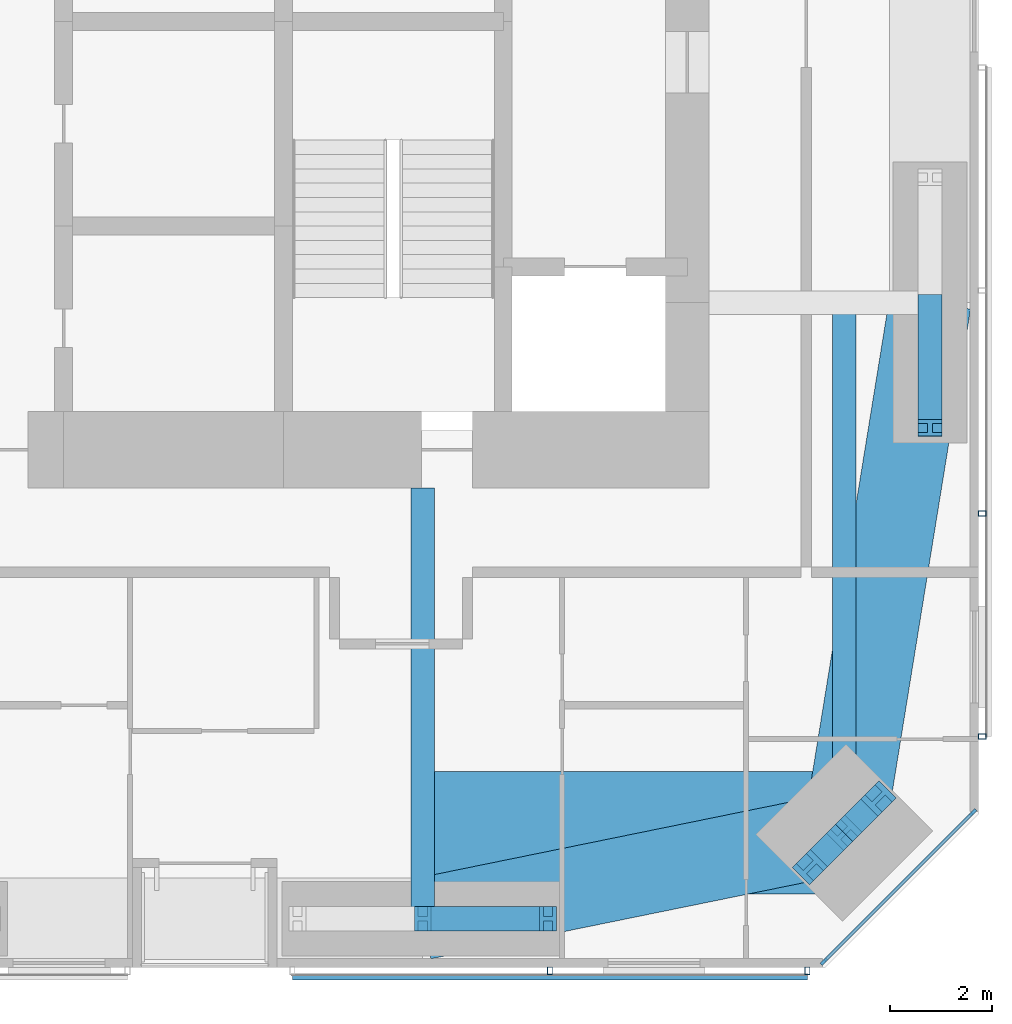
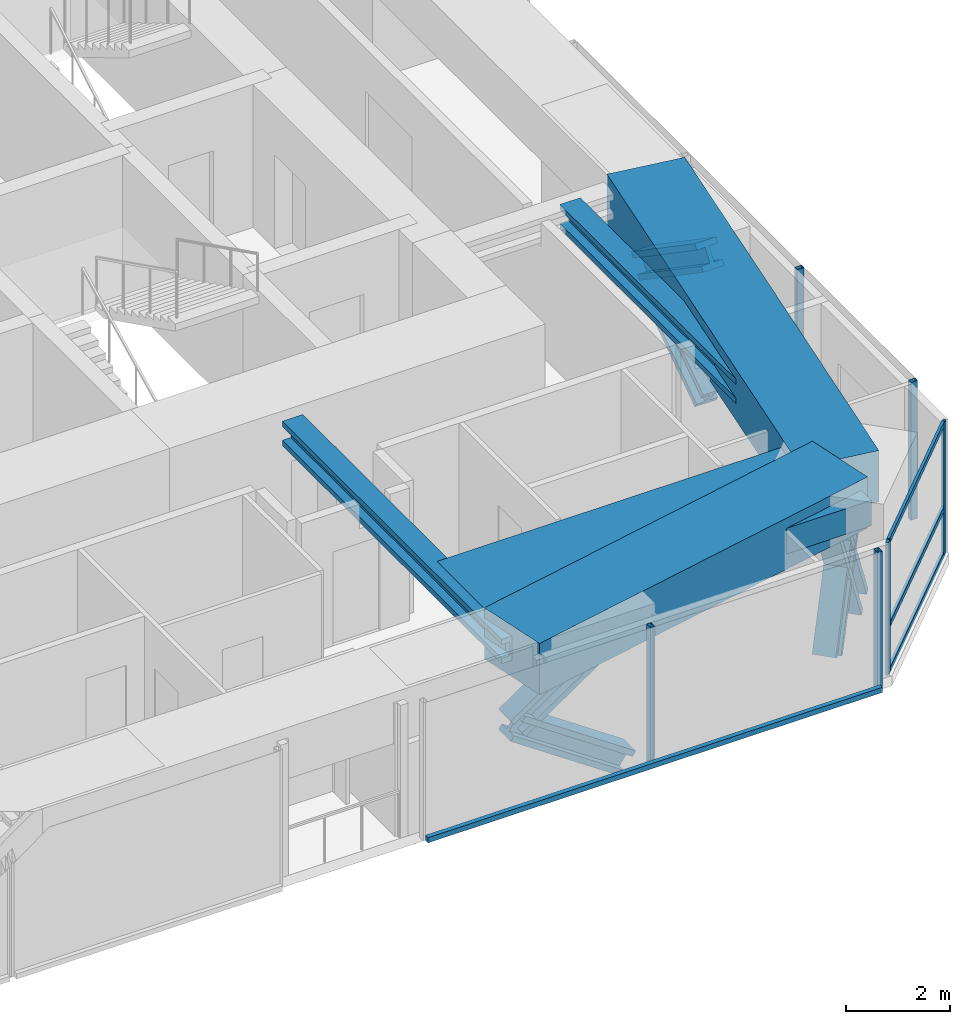
# One storey, part 8 of 24: 18 members, 5 beams, 3 elements without a shape of their own.
"""IFC4 building model written with IfcOpenShell, lengths in metres."""

from ifc_helpers import new_model, si_unit, direction, frame, origin, origin_2d, place, context, subcontext, project, spatial, rectangle, hollow_rectangle, i_section, extrude, material, material_profile, profile_set, type_object, element, aggregate, save


model = new_model("IFC4")

# Units and contexts
model_context = context("Model", 3, precision=1e-05, world=origin(), true_north=direction((0.0, 1.0)))
body_context = subcontext(model_context, "Body", "Model", "MODEL_VIEW")
ifc_project = project(units=[si_unit("LENGTHUNIT", "METRE"), si_unit("AREAUNIT", "SQUARE_METRE"), si_unit("VOLUMEUNIT", "CUBIC_METRE"), si_unit("PLANEANGLEUNIT", "RADIAN"), si_unit("MASSUNIT", "GRAM", prefix="KILO")], contexts=[model_context])

# Site, building, storey
site_placement = place(None, origin())
site = spatial("IfcSite", under=ifc_project, at=site_placement, CompositionType="ELEMENT")
building_placement = place(site_placement, origin())
building = spatial("IfcBuilding", under=site, at=building_placement, Name="Jalousie Tower", CompositionType="ELEMENT")
storey_placement = place(building_placement, frame((0.0, 0.0, 124.949951171875)))
storey = spatial("IfcBuildingStorey", under=building, at=storey_placement, Name="L34", CompositionType="ELEMENT", Elevation=124.949951171875)

# Curtain wall, members
ifc_material_1 = material(Name="Aluminium curtain wall", Category="aluminium")
curtain_wall_type_1 = type_object("IfcCurtainWallType", Name="CORNER WINDOW WALL", PredefinedType="USERDEFINED", material=ifc_material_1)
curtain_wall_1_placement = place(storey_placement, origin())
curtain_wall_1 = element("IfcCurtainWall", 1, at=curtain_wall_1_placement, inside=storey, type_object=curtain_wall_type_1, Name="Corner Window Wall L34 2", ObjectType="CORNER WINDOW WALL", PredefinedType="USERDEFINED")
ifc_material_2 = material(Name="Aluminium mullion", Category="aluminium")
ifc_material_profile_1 = material_profile(ifc_material_2, rectangle(XDim=0.06005859375, YDim=0.14990234375, at=origin_2d()), Name="MULLION 60x150")
ifc_profile_set_1 = profile_set([ifc_material_profile_1], Name="Aluminium mullion")
member_type_1 = type_object("IfcMemberType", Name="CORNER WINDOW WALL MULLION", PredefinedType="MULLION", material=ifc_profile_set_1)
member_1_placement = place(storey_placement, frame((46.469970703125, 0.108642578125, 0.0), z_axis=(0.0, 0.0, 1.0), x_axis=(-0.707106781187, 0.707106781187, 0.0)))
member_1 = element("IfcMember", 2, at=member_1_placement, type_object=member_type_1, Name="CW-C mullion 1", PredefinedType="MULLION", context=body_context, shape_type="SweptSolid", body=[
    extrude(rectangle(XDim=0.06005859375, YDim=0.14990234375, at=origin_2d()), origin(), (0.0, 0.0, 1.0), 3.110107421875),
])
member_2_placement = place(storey_placement, frame((49.391357421875, 3.030029296875, 0.0), z_axis=(0.0, 0.0, 1.0), x_axis=(-0.707106781187, 0.707106781187, 0.0)))
member_2 = element("IfcMember", 3, at=member_2_placement, type_object=member_type_1, Name="CW-C mullion 2", PredefinedType="MULLION", context=body_context, shape_type="SweptSolid", body=[
    extrude(rectangle(XDim=0.06005859375, YDim=0.14990234375, at=origin_2d()), origin(), (0.0, 0.0, 1.0), 3.110107421875),
])
ifc_material_3 = material(Name="Aluminium transom", Category="aluminium")
ifc_material_profile_2 = material_profile(ifc_material_3, rectangle(XDim=0.06005859375, YDim=0.1201171875, at=origin_2d()), Name="TRANSOM 60x120")
ifc_profile_set_2 = profile_set([ifc_material_profile_2], Name="Aluminium transom")
member_type_2 = type_object("IfcMemberType", Name="CORNER WINDOW WALL TRANSOM", PredefinedType="USERDEFINED", material=ifc_profile_set_2)
member_3_placement = place(storey_placement, frame((46.4912109375, 0.1298828125, 0.030029296875), z_axis=(0.707106781187, 0.707106781187, 0.0), x_axis=(-0.707106781187, 0.707106781187, 0.0)))
member_3 = element("IfcMember", 4, at=member_3_placement, type_object=member_type_2, Name="CW-C transom 1.1", ObjectType="TRANSOM", PredefinedType="USERDEFINED", context=body_context, shape_type="SweptSolid", body=[
    extrude(rectangle(XDim=0.06005859375, YDim=0.1201171875, at=origin_2d()), origin(), (0.0, 0.0, 1.0), 4.0712890625),
])
member_4_placement = place(storey_placement, frame((46.4912109375, 0.1298828125, 1.10009765625), z_axis=(0.707106781187, 0.707106781187, 0.0), x_axis=(-0.707106781187, 0.707106781187, 0.0)))
member_4 = element("IfcMember", 5, at=member_4_placement, type_object=member_type_2, Name="CW-C transom 1.2", ObjectType="TRANSOM", PredefinedType="USERDEFINED", context=body_context, shape_type="SweptSolid", body=[
    extrude(rectangle(XDim=0.06005859375, YDim=0.1201171875, at=origin_2d()), origin(), (0.0, 0.0, 1.0), 4.0712890625),
])
member_5_placement = place(storey_placement, frame((46.4912109375, 0.1298828125, 3.080078125), z_axis=(0.707106781187, 0.707106781187, 0.0), x_axis=(-0.707106781187, 0.707106781187, 0.0)))
member_5 = element("IfcMember", 6, at=member_5_placement, type_object=member_type_2, Name="CW-C transom 1.3", ObjectType="TRANSOM", PredefinedType="USERDEFINED", context=body_context, shape_type="SweptSolid", body=[
    extrude(rectangle(XDim=0.06005859375, YDim=0.1201171875, at=origin_2d()), origin(), (0.0, 0.0, 1.0), 4.0712890625),
])
aggregate(curtain_wall_1, [member_1, member_2, member_3, member_4, member_5])

# Beams
ifc_material_4 = material(Name="Steel ASTM A992 Grade 50", Category="steel")
ifc_material_profile_3 = material_profile(ifc_material_4, i_section(OverallWidth=0.45458984375, OverallDepth=0.569091796875, WebThickness=0.077880859375, FlangeThickness=0.124755859375, at=origin_2d()), Name="W14X730")
ifc_profile_set_3 = profile_set([ifc_material_profile_3], Name="Steel ASTM A992 Grade 50")
beam_type_1 = type_object("IfcBeamType", Name="LEAN COLLECTOR W14X730", PredefinedType="BEAM", material=ifc_profile_set_3)
beam_1_placement = place(storey_placement, frame((38.625, 0.949951171875, 2.825439453125), z_axis=(0.0, 1.0, 0.0), x_axis=(-1.0, 0.0, 0.0)))
element("IfcBeam", 7, at=beam_1_placement, inside=storey, type_object=beam_type_1, Name="Lean collector under L35", PredefinedType="BEAM", context=body_context, shape_type="SweptSolid", body=[
    extrude(i_section(OverallWidth=0.45458984375, OverallDepth=0.569091796875, WebThickness=0.077880859375, FlangeThickness=0.124755859375, at=origin_2d()), origin(), (0.0, 0.0, 1.0), 8.425048828125),
])
beam_2_placement = place(storey_placement, frame((46.86865234375, 2.63134765625, 2.825439453125), z_axis=(0.0, 1.0, 0.0), x_axis=(-1.0, 0.0, 0.0)))
element("IfcBeam", 8, at=beam_2_placement, inside=storey, type_object=beam_type_1, Name="Lean collector under L35", PredefinedType="BEAM", context=body_context, shape_type="SweptSolid", body=[
    extrude(i_section(OverallWidth=0.45458984375, OverallDepth=0.569091796875, WebThickness=0.077880859375, FlangeThickness=0.124755859375, at=origin_2d()), origin(), (0.0, 0.0, 1.0), 10.36865234375),
])

# Members
ifc_material_5 = material(Name="Steel ASTM A992 Grade 50", Category="steel")
ifc_material_profile_4 = material_profile(ifc_material_5, i_section(OverallWidth=0.472412109375, OverallDepth=0.5791015625, WebThickness=0.094970703125, FlangeThickness=0.1298828125, at=origin_2d()), Name="W14X808")
ifc_profile_set_4 = profile_set([ifc_material_profile_4], Name="Steel ASTM A992 Grade 50")
member_type_3 = type_object("IfcMemberType", Name="PERIMETER BRACE W14X808", PredefinedType="BRACE", material=ifc_profile_set_4)
for number, where, z_axis, x_axis, name in (
    (9, (38.625, 0.949951171875, 1.074951171875), (0.825500916831, 0.0, 0.564400776321), (0.0, 1.0, 0.0), "Perimeter brace 04 L34 part 2"),
    (10, (41.074951171875, 0.949951171875, -0.599853515625), (-0.825539243753, 0.0, 0.564344714713), (0.0, -1.0, 0.0), "Perimeter brace 04 L34 part 3"),
):
    element("IfcMember", number, at=place(storey_placement, frame(where, z_axis=z_axis, x_axis=x_axis)), inside=storey, type_object=member_type_3, Name=name, PredefinedType="BRACE", context=body_context, shape_type="SweptSolid", body=[
        extrude(i_section(OverallWidth=0.472412109375, OverallDepth=0.5791015625, WebThickness=0.094970703125, FlangeThickness=0.1298828125, at=origin_2d()), origin(), (0.0, 0.0, 1.0), 2.9677734375),
    ])
member_6_placement = place(storey_placement, frame((46.197021484375, 1.959716796875, -0.599853515625), z_axis=(0.348827529765, 0.348827529765, 0.869849819771), x_axis=(-0.707106781187, 0.707106781187, 0.0)))
element("IfcMember", 11, at=member_6_placement, inside=storey, type_object=member_type_3, Name="Perimeter brace 05 L34 part 1", PredefinedType="BRACE", context=body_context, shape_type="SweptSolid", body=[
    extrude(i_section(OverallWidth=0.472412109375, OverallDepth=0.5791015625, WebThickness=0.094970703125, FlangeThickness=0.1298828125, at=origin_2d()), origin(), (0.0, 0.0, 1.0), 1.92529296875),
])
member_7_placement = place(storey_placement, frame((46.86865234375, 2.63134765625, 1.074951171875), z_axis=(0.348789058631, 0.348789058631, 0.869880672943), x_axis=(-0.707106781187, 0.707106781187, 0.0)))
element("IfcMember", 12, at=member_7_placement, inside=storey, type_object=member_type_3, Name="Perimeter brace 05 L34 part 2", PredefinedType="BRACE", context=body_context, shape_type="SweptSolid", body=[
    extrude(i_section(OverallWidth=0.472412109375, OverallDepth=0.5791015625, WebThickness=0.094970703125, FlangeThickness=0.1298828125, at=origin_2d()), origin(), (0.0, 0.0, 1.0), 1.925537109375),
])
member_8_placement = place(storey_placement, frame((47.540283203125, 3.302978515625, -0.599853515625), z_axis=(-0.348827529765, -0.348827529765, 0.869849819771), x_axis=(0.707106781187, -0.707106781187, 0.0)))
element("IfcMember", 13, at=member_8_placement, inside=storey, type_object=member_type_3, Name="Perimeter brace 05 L34 part 3", PredefinedType="BRACE", context=body_context, shape_type="SweptSolid", body=[
    extrude(i_section(OverallWidth=0.472412109375, OverallDepth=0.5791015625, WebThickness=0.094970703125, FlangeThickness=0.1298828125, at=origin_2d()), origin(), (0.0, 0.0, 1.0), 1.92529296875),
])
member_9_placement = place(storey_placement, frame((46.86865234375, 2.63134765625, 1.074951171875), z_axis=(-0.348789058631, -0.348789058631, 0.869880672943), x_axis=(0.707106781187, -0.707106781187, 0.0)))
element("IfcMember", 14, at=member_9_placement, inside=storey, type_object=member_type_3, Name="Perimeter brace 05 L34 part 4", PredefinedType="BRACE", context=body_context, shape_type="SweptSolid", body=[
    extrude(i_section(OverallWidth=0.472412109375, OverallDepth=0.5791015625, WebThickness=0.094970703125, FlangeThickness=0.1298828125, at=origin_2d()), origin(), (0.0, 0.0, 1.0), 1.925537109375),
])
for number, where, z_axis, x_axis, name in (
    (15, (48.550048828125, 10.550048828125, -0.599853515625), (0.0, 0.825539243753, 0.564344714713), (-1.0, 0.0, 0.0), "Perimeter brace 06 L34 part 1"),
    (16, (48.550048828125, 13.0, 1.074951171875), (0.0, -0.825500916831, 0.564400776321), (1.0, 0.0, 0.0), "Perimeter brace 06 L34 part 4"),
):
    element("IfcMember", number, at=place(storey_placement, frame(where, z_axis=z_axis, x_axis=x_axis)), inside=storey, type_object=member_type_3, Name=name, PredefinedType="BRACE", context=body_context, shape_type="SweptSolid", body=[
        extrude(i_section(OverallWidth=0.472412109375, OverallDepth=0.5791015625, WebThickness=0.094970703125, FlangeThickness=0.1298828125, at=origin_2d()), origin(), (0.0, 0.0, 1.0), 2.9677734375),
    ])

# Beams
ifc_material_6 = material(Name="Concrete f'c 40 MPa", Category="concrete")
ifc_material_profile_5 = material_profile(ifc_material_6, rectangle(XDim=1.60009765625, YDim=1.199951171875, at=origin_2d()), Name="RC 1600x1200")
ifc_profile_set_5 = profile_set([ifc_material_profile_5], Name="Concrete f'c 40 MPa")
beam_type_2 = type_object("IfcBeamType", Name="RC BEAM 1600x1200", PredefinedType="BEAM", material=ifc_profile_set_5)
beam_3_placement = place(storey_placement, frame((38.625, 0.949951171875, 2.75), z_axis=(0.97982690954, 0.199848010602, 0.0), x_axis=(-0.199848010602, 0.97982690954, 0.0)))
element("IfcBeam", 17, at=beam_3_placement, inside=storey, type_object=beam_type_2, Name="Edge band beam 04-05 under L35", PredefinedType="BEAM", context=body_context, shape_type="SweptSolid", body=[
    extrude(rectangle(XDim=1.60009765625, YDim=1.199951171875, at=origin_2d()), origin(), (0.0, 0.0, 1.0), 8.413330078125),
])
beam_4_placement = place(storey_placement, frame((46.86865234375, 2.63134765625, 2.75), z_axis=(0.160070546476, 0.987105577003, 0.0), x_axis=(-0.987105577003, 0.160070546476, 0.0)))
element("IfcBeam", 18, at=beam_4_placement, inside=storey, type_object=beam_type_2, Name="Edge band beam 05-06 under L35", PredefinedType="BEAM", context=body_context, shape_type="SweptSolid", body=[
    extrude(rectangle(XDim=1.60009765625, YDim=1.199951171875, at=origin_2d()), origin(), (0.0, 0.0, 1.0), 10.504150390625),
])
ifc_material_7 = material(Name="Concrete f'c 40 MPa", Category="concrete")
ifc_material_profile_6 = material_profile(ifc_material_7, rectangle(XDim=2.39990234375, YDim=0.60009765625, at=origin_2d()), Name="RC 2400x600")
ifc_profile_set_6 = profile_set([ifc_material_profile_6], Name="Concrete f'c 40 MPa")
beam_type_3 = type_object("IfcBeamType", Name="RC BEAM 2400x600", PredefinedType="BEAM", material=ifc_profile_set_6)
beam_5_placement = place(storey_placement, frame((46.86865234375, 2.63134765625, 2.81005859375), z_axis=(-1.0, 0.0, 0.0), x_axis=(0.0, -1.0, 0.0)))
element("IfcBeam", 19, at=beam_5_placement, inside=storey, type_object=beam_type_3, Name="Floor band beam under L35", PredefinedType="BEAM", context=body_context, shape_type="SweptSolid", body=[
    extrude(rectangle(XDim=2.39990234375, YDim=0.60009765625, at=origin_2d()), origin(), (0.0, 0.0, 1.0), 8.24365234375),
])

# Curtain wall, members
ifc_material_8 = material(Name="Perforated aluminium sheet", Category="aluminium")
curtain_wall_type_2 = type_object("IfcCurtainWallType", Name="SOLAR SCREEN SS-1", PredefinedType="USERDEFINED", material=ifc_material_8)
curtain_wall_2_placement = place(storey_placement, origin())
curtain_wall_2 = element("IfcCurtainWall", 20, at=curtain_wall_2_placement, inside=storey, type_object=curtain_wall_type_2, Name="Solar screen L34", ObjectType="SOLAR SCREEN SS-1", PredefinedType="USERDEFINED")
ifc_material_9 = material(Name="Steel ASTM A500 Grade C", Category="steel")
ifc_material_profile_7 = material_profile(ifc_material_9, hollow_rectangle(XDim=0.1015625, YDim=0.15234375, WallThickness=0.00634765625, at=origin_2d()), Name="HSS6X4X1/4")
ifc_profile_set_7 = profile_set([ifc_material_profile_7], Name="Steel ASTM A500 Grade C")
member_type_4 = type_object("IfcMemberType", Name="SOLAR SCREEN SS-1 MULLION", PredefinedType="MULLION", material=ifc_profile_set_7)
member_10_placement = place(storey_placement, frame((41.11181640625, -0.0712890625, -0.119873046875), z_axis=(0.0, 0.0, 1.0), x_axis=(1.0, 0.0, 0.0)))
member_10 = element("IfcMember", 21, at=member_10_placement, type_object=member_type_4, Name="SS1 post 2", PredefinedType="MULLION", context=body_context, shape_type="SweptSolid", body=[
    extrude(hollow_rectangle(XDim=0.1015625, YDim=0.15234375, WallThickness=0.00634765625, at=origin_2d()), origin(), (0.0, 0.0, 1.0), 3.22998046875),
])
member_11_placement = place(storey_placement, frame((46.148681640625, -0.0712890625, -0.119873046875), z_axis=(0.0, 0.0, 1.0), x_axis=(1.0, 0.0, 0.0)))
member_11 = element("IfcMember", 22, at=member_11_placement, type_object=member_type_4, Name="SS1 post 3", PredefinedType="MULLION", context=body_context, shape_type="SweptSolid", body=[
    extrude(hollow_rectangle(XDim=0.1015625, YDim=0.15234375, WallThickness=0.00634765625, at=origin_2d()), origin(), (0.0, 0.0, 1.0), 3.22998046875),
])

curtain_wall_3_placement = place(storey_placement, origin())
curtain_wall_3 = element("IfcCurtainWall", 23, at=curtain_wall_3_placement, inside=storey, type_object=curtain_wall_type_2, Name="Solar screen L34", ObjectType="SOLAR SCREEN SS-1", PredefinedType="USERDEFINED")
member_12_placement = place(storey_placement, frame((49.5712890625, 4.513916015625, -0.119873046875), z_axis=(0.0, 0.0, 1.0), x_axis=(0.0, 1.0, 0.0)))
member_12 = element("IfcMember", 24, at=member_12_placement, type_object=member_type_4, Name="SS1 post 1", PredefinedType="MULLION", context=body_context, shape_type="SweptSolid", body=[
    extrude(hollow_rectangle(XDim=0.1015625, YDim=0.15234375, WallThickness=0.00634765625, at=origin_2d()), origin(), (0.0, 0.0, 1.0), 3.22998046875),
])
member_13_placement = place(storey_placement, frame((49.5712890625, 8.8759765625, -0.119873046875), z_axis=(0.0, 0.0, 1.0), x_axis=(0.0, 1.0, 0.0)))
member_13 = element("IfcMember", 25, at=member_13_placement, type_object=member_type_4, Name="SS1 post 2", PredefinedType="MULLION", context=body_context, shape_type="SweptSolid", body=[
    extrude(hollow_rectangle(XDim=0.1015625, YDim=0.15234375, WallThickness=0.00634765625, at=origin_2d()), origin(), (0.0, 0.0, 1.0), 3.22998046875),
])
aggregate(curtain_wall_3, [member_12, member_13])

# Member
ifc_material_10 = material(Name="Extruded aluminium screen rail", Category="aluminium")
ifc_material_profile_8 = material_profile(ifc_material_10, rectangle(XDim=0.1015625, YDim=0.1201171875, at=origin_2d()), Name="RAIL 102x120")
ifc_profile_set_8 = profile_set([ifc_material_profile_8], Name="Extruded aluminium screen rail")
member_type_5 = type_object("IfcMemberType", Name="SOLAR SCREEN SS-1 TRANSOM", PredefinedType="USERDEFINED", material=ifc_profile_set_8)
member_14_placement = place(storey_placement, frame((36.074951171875, -0.1982421875, -0.06005859375), z_axis=(1.0, 0.0, 0.0), x_axis=(0.0, 1.0, 0.0)))
member_14 = element("IfcMember", 26, at=member_14_placement, type_object=member_type_5, Name="SS1 rail", ObjectType="TRANSOM", PredefinedType="USERDEFINED", context=body_context, shape_type="SweptSolid", body=[
    extrude(rectangle(XDim=0.1015625, YDim=0.1201171875, at=origin_2d()), origin(), (0.0, 0.0, 1.0), 10.07373046875),
])

aggregate(curtain_wall_2, [member_10, member_11, member_14])

save(model, "model.ifc")
